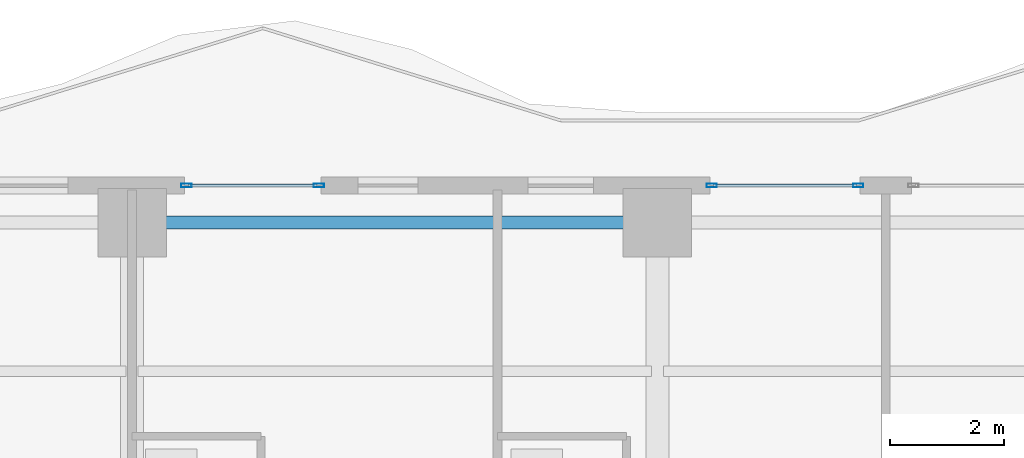
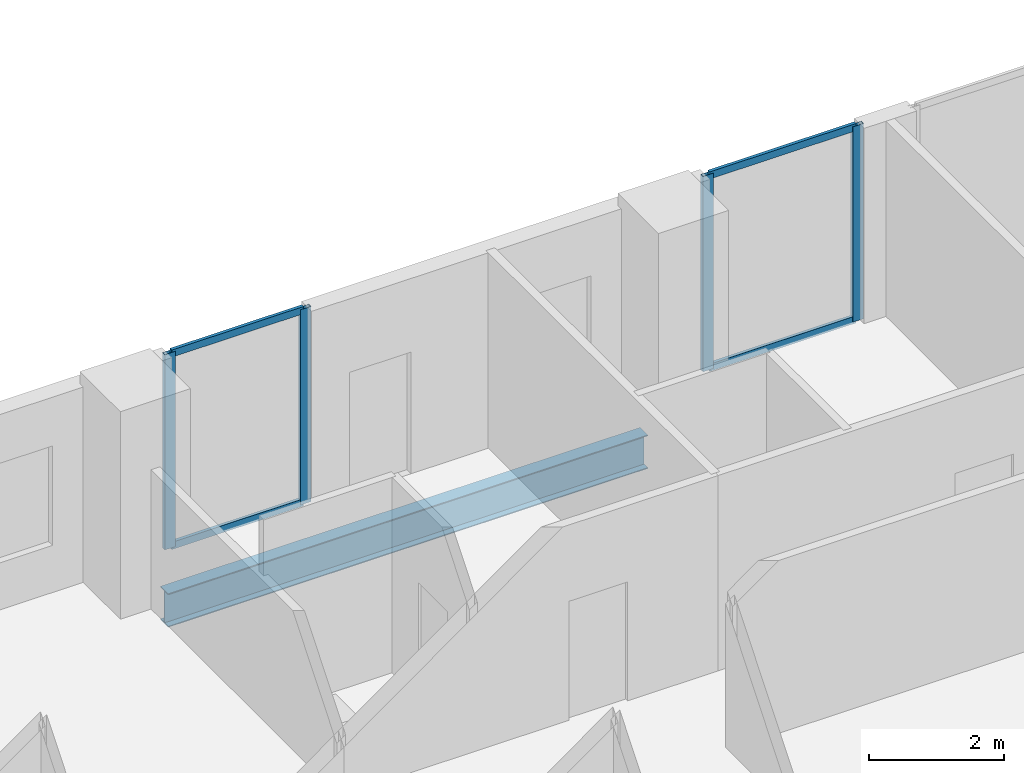
# One storey, part 19 of 32: 8 members, 1 beam, 2 elements without a shape of their own.
"""IFC4 building model written with IfcOpenShell, lengths in metres."""

from ifc_helpers import new_model, si_unit, direction, frame, origin, origin_2d, place, context, subcontext, project, spatial, hollow_rectangle, i_section, extrude, material, layer, layer_set, material_profile, profile_set, type_object, element, aggregate, save


model = new_model("IFC4")

# Units and contexts
model_context = context("Model", 3, precision=1e-05, world=origin(), true_north=direction((0.0, 1.0)))
body_context = subcontext(model_context, "Body", "Model", "MODEL_VIEW")
ifc_project = project(units=[si_unit("LENGTHUNIT", "METRE"), si_unit("AREAUNIT", "SQUARE_METRE"), si_unit("VOLUMEUNIT", "CUBIC_METRE"), si_unit("PLANEANGLEUNIT", "RADIAN"), si_unit("MASSUNIT", "GRAM", prefix="KILO")], contexts=[model_context])

# Site, building, storey
site_placement = place(None, origin())
site = spatial("IfcSite", under=ifc_project, at=site_placement, CompositionType="ELEMENT")
building_placement = place(site_placement, origin())
building = spatial("IfcBuilding", under=site, at=building_placement, Name="Zuhayl Quay Hotel", CompositionType="ELEMENT")
storey_placement = place(building_placement, frame((0.0, 0.0, 181.14990234375)))
storey = spatial("IfcBuildingStorey", under=building, at=storey_placement, Name="L45", CompositionType="ELEMENT", Elevation=181.14990234375)

# Beam
ifc_material_1 = material(Name="Steel ASTM A992 Grade 50", Category="steel")
ifc_material_profile_1 = material_profile(ifc_material_1, i_section(OverallWidth=0.22802734375, OverallDepth=0.60693359375, WebThickness=0.01123046875, FlangeThickness=0.017333984375, at=origin_2d()), Name="W24X76")
ifc_profile_set_1 = profile_set([ifc_material_profile_1], Name="Steel ASTM A992 Grade 50")
beam_type = type_object("IfcBeamType", Name="BM_B3_W24X76", PredefinedType="BEAM", material=ifc_profile_set_1)
beam_placement = place(storey_placement, frame((4.10009765625, 32.949951171875, -0.5234375), z_axis=(-1.0, 0.0, 0.0), x_axis=(0.0, -1.0, 0.0)))
element("IfcBeam", 1, at=beam_placement, inside=storey, type_object=beam_type, Name="L45 Floor Beam RG_L45_08", PredefinedType="BEAM", context=body_context, shape_type="SweptSolid", body=[
    extrude(i_section(OverallWidth=0.22802734375, OverallDepth=0.60693359375, WebThickness=0.01123046875, FlangeThickness=0.017333984375, at=origin_2d()), origin(), (0.0, 0.0, 1.0), 8.2001953125),
])

# Curtain wall, members
ifc_material_2 = material(Name="Anodised Aluminium 6063-T6", Category="aluminium")
ifc_layer = layer(ifc_material_2, 0.175048828125, Name="Anodised Aluminium 6063-T6", Category="aluminium")
ifc_layer_set = layer_set([ifc_layer], Name="Anodised Aluminium 6063-T6")
curtain_wall_type = type_object("IfcCurtainWallType", Name="CW_SYS_Z3", PredefinedType="USERDEFINED", material=ifc_layer_set)
curtain_wall_1_placement = place(storey_placement, origin())
curtain_wall_1 = element("IfcCurtainWall", 2, at=curtain_wall_1_placement, inside=storey, type_object=curtain_wall_type, Name="L45 Curtain Wall ENV_L45_N_CW2", ObjectType="UNITISED CURTAIN WALL", PredefinedType="USERDEFINED")
ifc_material_3 = material(Name="Black-anodised aluminium 6063-T6", Category="aluminium")
ifc_material_profile_2 = material_profile(ifc_material_3, hollow_rectangle(XDim=0.06494140625, YDim=0.179931640625, WallThickness=0.00341796875, at=origin_2d()), Name="ALU180X65")
ifc_profile_set_2 = profile_set([ifc_material_profile_2], Name="Black-anodised aluminium 6063-T6")
member_type_1 = type_object("IfcMemberType", Name="MB_CW_MUL_180", PredefinedType="MULLION", material=ifc_profile_set_2)
member_1_placement = place(storey_placement, frame((-3.6474609375, 33.60009765625, 0.0), z_axis=(0.0, 0.0, 1.0), x_axis=(0.0, 1.0, 0.0)))
member_1 = element("IfcMember", 3, at=member_1_placement, type_object=member_type_1, Name="CW-Z3 mullion 1", PredefinedType="MULLION", context=body_context, shape_type="SweptSolid", body=[
    extrude(hollow_rectangle(XDim=0.06494140625, YDim=0.179931640625, WallThickness=0.00341796875, at=origin_2d()), origin(), (0.0, 0.0, 1.0), 3.530029296875),
])
member_2_placement = place(storey_placement, frame((-1.327392578125, 33.60009765625, 0.0), z_axis=(0.0, 0.0, 1.0), x_axis=(0.0, 1.0, 0.0)))
member_2 = element("IfcMember", 4, at=member_2_placement, type_object=member_type_1, Name="CW-Z3 mullion 2", PredefinedType="MULLION", context=body_context, shape_type="SweptSolid", body=[
    extrude(hollow_rectangle(XDim=0.06494140625, YDim=0.179931640625, WallThickness=0.00341796875, at=origin_2d()), origin(), (0.0, 0.0, 1.0), 3.530029296875),
])

curtain_wall_2_placement = place(storey_placement, origin())
curtain_wall_2 = element("IfcCurtainWall", 5, at=curtain_wall_2_placement, inside=storey, type_object=curtain_wall_type, Name="L45 Curtain Wall ENV_L45_N_CW3", ObjectType="UNITISED CURTAIN WALL", PredefinedType="USERDEFINED")
member_3_placement = place(storey_placement, frame((5.552490234375, 33.60009765625, 0.0), z_axis=(0.0, 0.0, 1.0), x_axis=(0.0, 1.0, 0.0)))
member_3 = element("IfcMember", 6, at=member_3_placement, type_object=member_type_1, Name="CW-Z3 mullion 1", PredefinedType="MULLION", context=body_context, shape_type="SweptSolid", body=[
    extrude(hollow_rectangle(XDim=0.06494140625, YDim=0.179931640625, WallThickness=0.00341796875, at=origin_2d()), origin(), (0.0, 0.0, 1.0), 3.530029296875),
])
member_4_placement = place(storey_placement, frame((8.117431640625, 33.60009765625, 0.0), z_axis=(0.0, 0.0, 1.0), x_axis=(0.0, 1.0, 0.0)))
member_4 = element("IfcMember", 7, at=member_4_placement, type_object=member_type_1, Name="CW-Z3 mullion 2", PredefinedType="MULLION", context=body_context, shape_type="SweptSolid", body=[
    extrude(hollow_rectangle(XDim=0.06494140625, YDim=0.179931640625, WallThickness=0.00341796875, at=origin_2d()), origin(), (0.0, 0.0, 1.0), 3.530029296875),
])

# Member
ifc_material_profile_3 = material_profile(ifc_material_3, hollow_rectangle(XDim=0.054931640625, YDim=0.1298828125, WallThickness=0.0029296875, at=origin_2d()), Name="ALU130X55")
ifc_profile_set_3 = profile_set([ifc_material_profile_3], Name="Black-anodised aluminium 6063-T6")
member_type_2 = type_object("IfcMemberType", Name="MB_CW_TRN_130", PredefinedType="USERDEFINED", material=ifc_profile_set_3)
member_5_placement = place(storey_placement, frame((-3.614990234375, 33.60009765625, 0.027587890625), z_axis=(1.0, 0.0, 0.0), x_axis=(0.0, 1.0, 0.0)))
member_5 = element("IfcMember", 8, at=member_5_placement, type_object=member_type_2, Name="CW-Z3 transom 1.1", ObjectType="TRANSOM", PredefinedType="USERDEFINED", context=body_context, shape_type="SweptSolid", body=[
    extrude(hollow_rectangle(XDim=0.054931640625, YDim=0.1298828125, WallThickness=0.0029296875, at=origin_2d()), origin(), (0.0, 0.0, 1.0), 2.2548828125),
])

member_6_placement = place(storey_placement, frame((-3.614990234375, 33.60009765625, 3.502685546875), z_axis=(1.0, 0.0, 0.0), x_axis=(0.0, 1.0, 0.0)))
member_6 = element("IfcMember", 9, at=member_6_placement, type_object=member_type_2, Name="CW-Z3 transom 1.2", ObjectType="TRANSOM", PredefinedType="USERDEFINED", context=body_context, shape_type="SweptSolid", body=[
    extrude(hollow_rectangle(XDim=0.054931640625, YDim=0.1298828125, WallThickness=0.0029296875, at=origin_2d()), origin(), (0.0, 0.0, 1.0), 2.2548828125),
])

aggregate(curtain_wall_1, [member_1, member_2, member_5, member_6])

member_7_placement = place(storey_placement, frame((5.5849609375, 33.60009765625, 0.027587890625), z_axis=(1.0, 0.0, 0.0), x_axis=(0.0, 1.0, 0.0)))
member_7 = element("IfcMember", 10, at=member_7_placement, type_object=member_type_2, Name="CW-Z3 transom 1.1", ObjectType="TRANSOM", PredefinedType="USERDEFINED", context=body_context, shape_type="SweptSolid", body=[
    extrude(hollow_rectangle(XDim=0.054931640625, YDim=0.1298828125, WallThickness=0.0029296875, at=origin_2d()), origin(), (0.0, 0.0, 1.0), 2.5),
])

member_8_placement = place(storey_placement, frame((5.5849609375, 33.60009765625, 3.502685546875), z_axis=(1.0, 0.0, 0.0), x_axis=(0.0, 1.0, 0.0)))
member_8 = element("IfcMember", 11, at=member_8_placement, type_object=member_type_2, Name="CW-Z3 transom 1.2", ObjectType="TRANSOM", PredefinedType="USERDEFINED", context=body_context, shape_type="SweptSolid", body=[
    extrude(hollow_rectangle(XDim=0.054931640625, YDim=0.1298828125, WallThickness=0.0029296875, at=origin_2d()), origin(), (0.0, 0.0, 1.0), 2.5),
])

aggregate(curtain_wall_2, [member_3, member_4, member_7, member_8])

save(model, "model.ifc")
